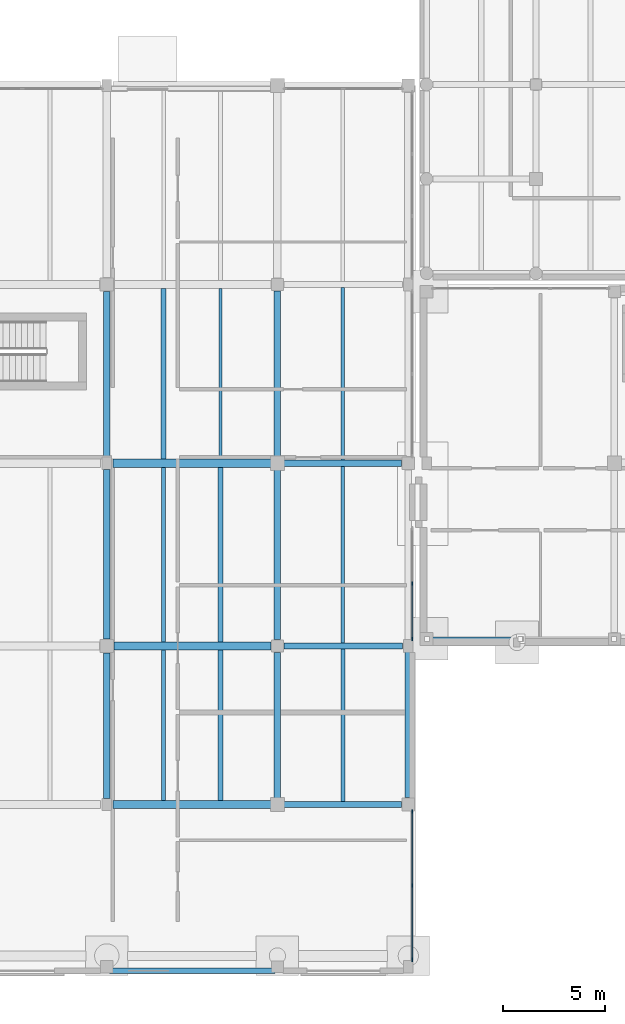
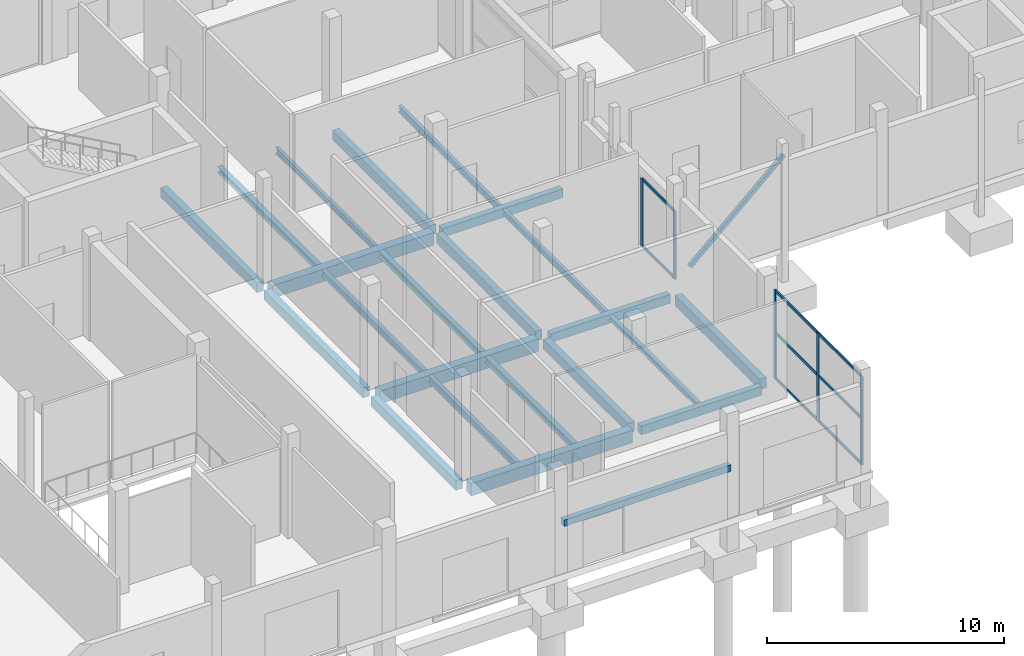
# One storey, part 19 of 88: 23 beams, 14 members, 2 elements without a shape of their own.
"""IFC4 building model written with IfcOpenShell, lengths in metres."""

import ifcopenshell
import ifcopenshell.guid

model = None  # the IFC model being written
_history = None  # IfcOwnerHistory: only IFC2X3 demands one
_inside = {}  # id of a spatial element -> (the spatial element, [elements in it])
_under = {}  # id of a project, library or spatial element -> (it, [spatial elements below it])
_declared = {}  # id of a project -> (the project, [libraries it declares])
_typed = {}  # id of a type object -> (the type object, [elements of that type])
_made_of = {}  # id of a material, layer set ... -> (it, [elements and type objects made of it])


def new_model(schema):
    """Start an empty IFC model of exactly this schema.

    Asked for "IFC4X3", IfcOpenShell would pick the latest addendum, in which some entities
    have other attributes; the version numbers below select the first issue.
    IFC2X3 requires an IfcOwnerHistory on every rooted entity: one is made here for all.
    """
    global model, _history
    if schema == "IFC4X3":
        model = ifcopenshell.file(schema_version=(4, 3, 0, 0))
    else:
        model = ifcopenshell.file(schema=schema)
    _inside.clear()
    _under.clear()
    _declared.clear()
    _typed.clear()
    _made_of.clear()
    _history = None
    if model.schema == "IFC2X3":
        org = make("IfcOrganization", Name="unknown")
        user = make(
            "IfcPersonAndOrganization",
            ThePerson=make("IfcPerson", FamilyName="unknown"),
            TheOrganization=org,
        )
        app = make(
            "IfcApplication",
            ApplicationDeveloper=org,
            Version="unknown",
            ApplicationFullName="unknown",
            ApplicationIdentifier="unknown",
        )
        _history = make(
            "IfcOwnerHistory",
            OwningUser=user,
            OwningApplication=app,
            ChangeAction="ADDED",
            CreationDate=0,
        )
    return model


def make(cls, **values):
    """One entity of the class cls with the attributes given. An attribute that is None is left unset."""
    return model.create_entity(
        cls, **{name: value for name, value in values.items() if value is not None}
    )


def rooted(cls, **values):
    """An entity with a GlobalId (a new one), such as an element, a storey or a relation."""
    return make(cls, GlobalId=ifcopenshell.guid.new(), OwnerHistory=_history, **values)


def si_unit(unit_type, name, prefix=None):
    """IfcSIUnit, for example si_unit("LENGTHUNIT", "METRE", prefix="MILLI")."""
    return make("IfcSIUnit", UnitType=unit_type, Prefix=prefix, Name=name)


def assignment(units):
    """IfcUnitAssignment: the units of a project."""
    return None if units is None else make("IfcUnitAssignment", Units=units)


def point(xyz):
    """IfcCartesianPoint."""
    return None if xyz is None else make("IfcCartesianPoint", Coordinates=xyz)


def direction(xyz):
    """IfcDirection."""
    return None if xyz is None else make("IfcDirection", DirectionRatios=xyz)


def frame(location, z_axis=None, x_axis=None):
    """IfcAxis2Placement3D, a coordinate frame: its origin and axes. An axis left out is left unset."""
    return make(
        "IfcAxis2Placement3D",
        Location=point(location),
        Axis=direction(z_axis),
        RefDirection=direction(x_axis),
    )


def frame_2d(location, x_axis=None):
    """IfcAxis2Placement2D, a coordinate frame in the plane: its origin and x axis."""
    return make(
        "IfcAxis2Placement2D", Location=point(location), RefDirection=direction(x_axis)
    )


def origin():
    """The frame at (0, 0, 0) with its axes left unset."""
    return frame((0.0, 0.0, 0.0))


def origin_2d():
    """The frame at (0, 0) in the plane with its x axis left unset."""
    return frame_2d((0.0, 0.0))


def place(relative_to, where):
    """IfcLocalPlacement: puts the frame where relative to a parent placement (None: the world)."""
    return make(
        "IfcLocalPlacement", PlacementRelTo=relative_to, RelativePlacement=where
    )


def context(
    kind, dimensions, precision=None, world=None, true_north=None, identifier=None
):
    """IfcGeometricRepresentationContext, for example the 3D "Model" context."""
    return make(
        "IfcGeometricRepresentationContext",
        ContextIdentifier=identifier,
        ContextType=kind,
        CoordinateSpaceDimension=dimensions,
        Precision=precision,
        WorldCoordinateSystem=world,
        TrueNorth=true_north,
    )


def subcontext(parent, identifier, kind, view, scale=None):
    """IfcGeometricRepresentationSubContext, for example "Body" below "Model"."""
    return make(
        "IfcGeometricRepresentationSubContext",
        ContextIdentifier=identifier,
        ContextType=kind,
        ParentContext=parent,
        TargetScale=scale,
        TargetView=view,
    )


def project(units=None, contexts=None):
    """IfcProject with its units and contexts."""
    return rooted(
        "IfcProject",
        Name="project",
        RepresentationContexts=contexts,
        UnitsInContext=assignment(units),
    )


def spatial(cls, under=None, at=None, **own):
    """A site, building, storey or space (cls), placed at a placement, below another one or the project."""
    s = rooted(cls, ObjectPlacement=at, **own)
    if under is not None:
        _under.setdefault(under.id(), (under, []))[1].append(s)
    return s


def profile(cls, at=None, kind="AREA", **sizes):
    """A parametric profile (cls). Its sizes go by their IFC names, for example OverallWidth=200.0."""
    return make(cls, ProfileType=kind, Position=at, **sizes)


def rectangle(**sizes):
    """IfcRectangleProfileDef."""
    return profile("IfcRectangleProfileDef", **sizes)


def hollow_rectangle(**sizes):
    """IfcRectangleHollowProfileDef."""
    return profile("IfcRectangleHollowProfileDef", **sizes)


def i_section(**sizes):
    """IfcIShapeProfileDef."""
    return profile("IfcIShapeProfileDef", **sizes)


def extrude(swept, where, along, depth):
    """IfcExtrudedAreaSolid: the profile swept, set in the frame where, extruded along a direction by depth."""
    return make(
        "IfcExtrudedAreaSolid",
        SweptArea=swept,
        Position=where,
        ExtrudedDirection=direction(along),
        Depth=depth,
    )


def shape(context_of_items, identifier, shape_type, items):
    """IfcShapeRepresentation: the items that make up one representation, for example the "Body"."""
    return make(
        "IfcShapeRepresentation",
        ContextOfItems=context_of_items,
        RepresentationIdentifier=identifier,
        RepresentationType=shape_type,
        Items=items,
    )


def material(Name=None, Category=None):
    """IfcMaterial."""
    return make("IfcMaterial", Name=Name, Category=Category)


def layer(
    of_material, thickness, ventilated=None, Name=None, Category=None, Priority=None
):
    """IfcMaterialLayer: one layer of a wall or slab, of a material (None: an air gap)."""
    return make(
        "IfcMaterialLayer",
        Material=of_material,
        LayerThickness=thickness,
        IsVentilated=ventilated,
        Name=Name,
        Category=Category,
        Priority=Priority,
    )


def layer_set(layers, Name=None):
    """IfcMaterialLayerSet."""
    return make("IfcMaterialLayerSet", MaterialLayers=layers, LayerSetName=Name)


def material_profile(
    of_material, cross_section, Name=None, Category=None, Priority=None
):
    """IfcMaterialProfile: a cross section and its material."""
    return make(
        "IfcMaterialProfile",
        Name=Name,
        Material=of_material,
        Profile=cross_section,
        Priority=Priority,
        Category=Category,
    )


def profile_set(profiles, Name=None, composite=None):
    """IfcMaterialProfileSet."""
    return make(
        "IfcMaterialProfileSet",
        Name=Name,
        MaterialProfiles=profiles,
        CompositeProfile=composite,
    )


def made_of(thing, what):
    """Note that an element or type object is made of a material, layer set ...; save() writes the relation."""
    if what is not None:
        _made_of.setdefault(what.id(), (what, []))[1].append(thing)
    return thing


def type_object(cls, material=None, **own):
    """A type object (cls), such as IfcWallType, which elements share."""
    return made_of(rooted(cls, **own), material)


def element(
    cls,
    number,
    at=None,
    inside=None,
    cuts=None,
    type_object=None,
    material=None,
    context=None,
    identifier="Body",
    shape_type=None,
    held_by="IfcProductDefinitionShape",
    body=None,
    shapes=None,
    **own,
):
    """One element of the class cls, such as IfcWall. Its Tag is "e" and its number.

    at: its placement. inside: the storey or other place that contains it. cuts: it is an
    opening in that element (IfcRelVoidsElement). A single representation is given by context,
    identifier, shape_type and body (its items); several are given by shapes. held_by: the class
    of the entity that holds the representations. save() writes the other relations.
    """
    e = rooted(cls, Tag="e%d" % number, ObjectPlacement=at, **own)
    if body is not None:
        shapes = [shape(context, identifier, shape_type, body)]
    if shapes is not None:
        e.Representation = make(held_by, Representations=shapes)
    if inside is not None:
        _inside.setdefault(inside.id(), (inside, []))[1].append(e)
    if cuts is not None:
        rooted(
            "IfcRelVoidsElement", RelatingBuildingElement=cuts, RelatedOpeningElement=e
        )
    if type_object is not None:
        _typed.setdefault(type_object.id(), (type_object, []))[1].append(e)
    return made_of(e, material)


def aggregate(whole, parts):
    """IfcRelAggregates: a whole, such as a stair, and the parts it consists of."""
    return rooted("IfcRelAggregates", RelatingObject=whole, RelatedObjects=parts)


def save(model, path):
    """Write the relations noted so far, then the file.

    IfcRelAggregates (storeys below a building ...), IfcRelContainedInSpatialStructure (elements
    in a storey), IfcRelDefinesByType, IfcRelAssociatesMaterial and IfcRelDeclares: one each for
    every whole, place, type object, material and project.
    """
    for whole, parts in _under.values():
        aggregate(whole, parts)
    for where, things in _inside.values():
        rooted(
            "IfcRelContainedInSpatialStructure",
            RelatedElements=things,
            RelatingStructure=where,
        )
    for kind, things in _typed.values():
        rooted("IfcRelDefinesByType", RelatedObjects=things, RelatingType=kind)
    for what, things in _made_of.values():
        rooted("IfcRelAssociatesMaterial", RelatedObjects=things, RelatingMaterial=what)
    for by, libraries in _declared.values():
        rooted("IfcRelDeclares", RelatingContext=by, RelatedDefinitions=libraries)
    model.write(path)


model = new_model("IFC4")

# Units and contexts
model_context = context("Model", 3, precision=1e-05, world=origin(), true_north=direction((0.0, 1.0)))
body_context = subcontext(model_context, "Body", "Model", "MODEL_VIEW")
ifc_project = project(units=[si_unit("LENGTHUNIT", "METRE"), si_unit("AREAUNIT", "SQUARE_METRE"), si_unit("VOLUMEUNIT", "CUBIC_METRE"), si_unit("PLANEANGLEUNIT", "RADIAN"), si_unit("MASSUNIT", "GRAM", prefix="KILO")], contexts=[model_context])

# Site, building, storey
site_placement = place(None, origin())
site = spatial("IfcSite", under=ifc_project, at=site_placement, CompositionType="ELEMENT")
building_placement = place(site_placement, origin())
building = spatial("IfcBuilding", under=site, at=building_placement, Name="Birchvale Park Specialist Clinic", CompositionType="ELEMENT")
storey_placement = place(building_placement, origin())
storey = spatial("IfcBuildingStorey", under=building, at=storey_placement, Name="L00", CompositionType="ELEMENT", Elevation=0.0)

# Beams
ifc_material_1 = material(Name="Concrete C40/50", Category="concrete")
ifc_material_profile_1 = material_profile(ifc_material_1, rectangle(XDim=0.320068359375, YDim=0.5400390625, at=origin_2d()), Name="RCB-320x540")
ifc_profile_set_1 = profile_set([ifc_material_profile_1], Name="Concrete C40/50")
beam_type_1 = type_object("IfcBeamType", Name="BM-EXT-BG7", PredefinedType="BEAM", material=ifc_profile_set_1)
beam_1_placement = place(storey_placement, frame((51.25, 9.340087890625, -0.6201171875), z_axis=(0.0, 1.0, 0.0), x_axis=(-1.0, 0.0, 0.0)))
element("IfcBeam", 1, at=beam_1_placement, inside=storey, type_object=beam_type_1, Name="V2 L00 Y girder 45", PredefinedType="BEAM", context=body_context, shape_type="SweptSolid", body=[
    extrude(rectangle(XDim=0.320068359375, YDim=0.5400390625, at=origin_2d()), origin(), (0.0, 0.0, 1.0), 7.169921875),
])
ifc_material_profile_2 = material_profile(ifc_material_1, rectangle(XDim=0.39990234375, YDim=0.64990234375, at=origin_2d()), Name="RCB-400x650")
ifc_profile_set_2 = profile_set([ifc_material_profile_2], Name="Concrete C40/50")
beam_type_2 = type_object("IfcBeamType", Name="BM-INT-BG4", PredefinedType="BEAM", material=ifc_profile_set_2)
beam_2_placement = place(storey_placement, frame((36.699951171875, 9.0, -0.675048828125), z_axis=(1.0, 0.0, 0.0), x_axis=(0.0, 1.0, 0.0)))
element("IfcBeam", 2, at=beam_2_placement, inside=storey, type_object=beam_type_2, Name="V2 L00 X girder 4", PredefinedType="BEAM", context=body_context, shape_type="SweptSolid", body=[
    extrude(rectangle(XDim=0.39990234375, YDim=0.64990234375, at=origin_2d()), origin(), (0.0, 0.0, 1.0), 7.875),
])
beam_3_placement = place(storey_placement, frame((36.75, 16.800048828125, -0.675048828125), z_axis=(1.0, 0.0, 0.0), x_axis=(0.0, 1.0, 0.0)))
element("IfcBeam", 3, at=beam_3_placement, inside=storey, type_object=beam_type_2, Name="V2 L00 X girder 9", PredefinedType="BEAM", context=body_context, shape_type="SweptSolid", body=[
    extrude(rectangle(XDim=0.39990234375, YDim=0.64990234375, at=origin_2d()), origin(), (0.0, 0.0, 1.0), 7.72509765625),
])
beam_4_placement = place(storey_placement, frame((36.699951171875, 25.800048828125, -0.675048828125), z_axis=(1.0, 0.0, 0.0), x_axis=(0.0, 1.0, 0.0)))
element("IfcBeam", 4, at=beam_4_placement, inside=storey, type_object=beam_type_2, Name="V2 L00 X girder 14", PredefinedType="BEAM", context=body_context, shape_type="SweptSolid", body=[
    extrude(rectangle(XDim=0.39990234375, YDim=0.64990234375, at=origin_2d()), origin(), (0.0, 0.0, 1.0), 7.875),
])
ifc_material_profile_3 = material_profile(ifc_material_1, rectangle(XDim=0.320068359375, YDim=0.5, at=origin_2d()), Name="RCB-320x500")
ifc_profile_set_3 = profile_set([ifc_material_profile_3], Name="Concrete C40/50")
beam_type_3 = type_object("IfcBeamType", Name="BM-INT-BG7", PredefinedType="BEAM", material=ifc_profile_set_3)
beam_5_placement = place(storey_placement, frame((36.39990234375, 9.300048828125, -0.60009765625), z_axis=(0.0, 1.0, 0.0), x_axis=(-1.0, 0.0, 0.0)))
element("IfcBeam", 5, at=beam_5_placement, inside=storey, type_object=beam_type_3, Name="V2 L00 Y girder 37", PredefinedType="BEAM", context=body_context, shape_type="SweptSolid", body=[
    extrude(rectangle(XDim=0.320068359375, YDim=0.5, at=origin_2d()), origin(), (0.0, 0.0, 1.0), 7.14990234375),
])
beam_6_placement = place(storey_placement, frame((36.39990234375, 17.14990234375, -0.60009765625), z_axis=(0.0, 1.0, 0.0), x_axis=(-1.0, 0.0, 0.0)))
element("IfcBeam", 6, at=beam_6_placement, inside=storey, type_object=beam_type_3, Name="V2 L00 Y girder 38", PredefinedType="BEAM", context=body_context, shape_type="SweptSolid", body=[
    extrude(rectangle(XDim=0.320068359375, YDim=0.5, at=origin_2d()), origin(), (0.0, 0.0, 1.0), 8.35009765625),
])
beam_7_placement = place(storey_placement, frame((36.39990234375, 26.10009765625, -0.60009765625), z_axis=(0.0, 1.0, 0.0), x_axis=(-1.0, 0.0, 0.0)))
element("IfcBeam", 7, at=beam_7_placement, inside=storey, type_object=beam_type_3, Name="V2 L00 Y girder 39", PredefinedType="BEAM", context=body_context, shape_type="SweptSolid", body=[
    extrude(rectangle(XDim=0.320068359375, YDim=0.5, at=origin_2d()), origin(), (0.0, 0.0, 1.0), 8.14990234375),
])
beam_8_placement = place(storey_placement, frame((44.800048828125, 9.300048828125, -0.60009765625), z_axis=(0.0, 1.0, 0.0), x_axis=(-1.0, 0.0, 0.0)))
element("IfcBeam", 8, at=beam_8_placement, inside=storey, type_object=beam_type_3, Name="V2 L00 Y girder 41", PredefinedType="BEAM", context=body_context, shape_type="SweptSolid", body=[
    extrude(rectangle(XDim=0.320068359375, YDim=0.5, at=origin_2d()), origin(), (0.0, 0.0, 1.0), 7.175048828125),
])
beam_9_placement = place(storey_placement, frame((44.800048828125, 17.125, -0.60009765625), z_axis=(0.0, 1.0, 0.0), x_axis=(-1.0, 0.0, 0.0)))
element("IfcBeam", 9, at=beam_9_placement, inside=storey, type_object=beam_type_3, Name="V2 L00 Y girder 42", PredefinedType="BEAM", context=body_context, shape_type="SweptSolid", body=[
    extrude(rectangle(XDim=0.320068359375, YDim=0.5, at=origin_2d()), origin(), (0.0, 0.0, 1.0), 8.375),
])
beam_10_placement = place(storey_placement, frame((44.800048828125, 26.10009765625, -0.60009765625), z_axis=(0.0, 1.0, 0.0), x_axis=(-1.0, 0.0, 0.0)))
element("IfcBeam", 10, at=beam_10_placement, inside=storey, type_object=beam_type_3, Name="V2 L00 Y girder 43", PredefinedType="BEAM", context=body_context, shape_type="SweptSolid", body=[
    extrude(rectangle(XDim=0.320068359375, YDim=0.5, at=origin_2d()), origin(), (0.0, 0.0, 1.0), 8.1748046875),
])
ifc_material_profile_4 = material_profile(ifc_material_1, rectangle(XDim=0.300048828125, YDim=0.449951171875, at=origin_2d()), Name="RCB-300x450")
ifc_profile_set_4 = profile_set([ifc_material_profile_4], Name="Concrete C40/50")
beam_type_4 = type_object("IfcBeamType", Name="BM-INT-BG8", PredefinedType="BEAM", material=ifc_profile_set_4)
beam_11_placement = place(storey_placement, frame((45.02490234375, 9.0, -0.574951171875), z_axis=(1.0, 0.0, 0.0), x_axis=(0.0, 1.0, 0.0)))
element("IfcBeam", 11, at=beam_11_placement, inside=storey, type_object=beam_type_4, Name="V2 L00 X girder 5", PredefinedType="BEAM", context=body_context, shape_type="SweptSolid", body=[
    extrude(rectangle(XDim=0.300048828125, YDim=0.449951171875, at=origin_2d()), origin(), (0.0, 0.0, 1.0), 5.885009765625),
])
beam_12_placement = place(storey_placement, frame((45.125, 16.800048828125, -0.574951171875), z_axis=(1.0, 0.0, 0.0), x_axis=(0.0, 1.0, 0.0)))
element("IfcBeam", 12, at=beam_12_placement, inside=storey, type_object=beam_type_4, Name="V2 L00 X girder 10", PredefinedType="BEAM", context=body_context, shape_type="SweptSolid", body=[
    extrude(rectangle(XDim=0.300048828125, YDim=0.449951171875, at=origin_2d()), origin(), (0.0, 0.0, 1.0), 5.8349609375),
])
beam_13_placement = place(storey_placement, frame((45.02490234375, 25.800048828125, -0.574951171875), z_axis=(1.0, 0.0, 0.0), x_axis=(0.0, 1.0, 0.0)))
element("IfcBeam", 13, at=beam_13_placement, inside=storey, type_object=beam_type_4, Name="V2 L00 X girder 15", PredefinedType="BEAM", context=body_context, shape_type="SweptSolid", body=[
    extrude(rectangle(XDim=0.300048828125, YDim=0.449951171875, at=origin_2d()), origin(), (0.0, 0.0, 1.0), 5.885009765625),
])

# Curtain wall, members
ifc_material_2 = material(Name="Thermally broken anodised aluminium", Category="aluminium")
ifc_layer = layer(ifc_material_2, 0.195068359375)
ifc_layer_set = layer_set([ifc_layer], Name="Thermally broken anodised aluminium")
curtain_wall_type = type_object("IfcCurtainWallType", Name="CW-U2", PredefinedType="USERDEFINED", material=ifc_layer_set)
curtain_wall_1_placement = place(storey_placement, origin())
curtain_wall_1 = element("IfcCurtainWall", 14, at=curtain_wall_1_placement, inside=storey, type_object=curtain_wall_type, Name="V2 L00 glazed curtain wall 10", ObjectType="UNITISED", PredefinedType="USERDEFINED")
ifc_material_profile_5 = material_profile(ifc_material_2, rectangle(XDim=0.06494140625, YDim=0.179931640625, at=origin_2d()), Name="CWM-65x180")
ifc_profile_set_5 = profile_set([ifc_material_profile_5], Name="Thermally broken anodised aluminium")
member_type_1 = type_object("IfcMemberType", Name="CWM2", PredefinedType="MULLION", material=ifc_profile_set_5)
member_1_placement = place(storey_placement, frame((51.445068359375, 1.347412109375, 0.0), z_axis=(0.0, 0.0, 1.0), x_axis=(-1.0, 0.0, 0.0)))
member_1 = element("IfcMember", 15, at=member_1_placement, type_object=member_type_1, Name="CW mullion 1", PredefinedType="MULLION", context=body_context, shape_type="SweptSolid", body=[
    extrude(rectangle(XDim=0.06494140625, YDim=0.179931640625, at=origin_2d()), origin(), (0.0, 0.0, 1.0), 4.570068359375),
])
member_2_placement = place(storey_placement, frame((51.445068359375, 5.0, 0.0), z_axis=(0.0, 0.0, 1.0), x_axis=(-1.0, 0.0, 0.0)))
member_2 = element("IfcMember", 16, at=member_2_placement, type_object=member_type_1, Name="CW mullion 2", PredefinedType="MULLION", context=body_context, shape_type="SweptSolid", body=[
    extrude(rectangle(XDim=0.06494140625, YDim=0.179931640625, at=origin_2d()), origin(), (0.0, 0.0, 1.0), 4.570068359375),
])
member_3_placement = place(storey_placement, frame((51.445068359375, 8.652587890625, 0.0), z_axis=(0.0, 0.0, 1.0), x_axis=(-1.0, 0.0, 0.0)))
member_3 = element("IfcMember", 17, at=member_3_placement, type_object=member_type_1, Name="CW mullion 3", PredefinedType="MULLION", context=body_context, shape_type="SweptSolid", body=[
    extrude(rectangle(XDim=0.06494140625, YDim=0.179931640625, at=origin_2d()), origin(), (0.0, 0.0, 1.0), 4.570068359375),
])

curtain_wall_2_placement = place(storey_placement, origin())
curtain_wall_2 = element("IfcCurtainWall", 18, at=curtain_wall_2_placement, inside=storey, type_object=curtain_wall_type, Name="V2 L00 glazed curtain wall 11", ObjectType="UNITISED", PredefinedType="USERDEFINED")
member_4_placement = place(storey_placement, frame((51.445068359375, 17.1474609375, 0.0), z_axis=(0.0, 0.0, 1.0), x_axis=(-1.0, 0.0, 0.0)))
member_4 = element("IfcMember", 19, at=member_4_placement, type_object=member_type_1, Name="CW mullion 1", PredefinedType="MULLION", context=body_context, shape_type="SweptSolid", body=[
    extrude(rectangle(XDim=0.06494140625, YDim=0.179931640625, at=origin_2d()), origin(), (0.0, 0.0, 1.0), 3.508056640625),
])
member_5_placement = place(storey_placement, frame((51.445068359375, 19.8701171875, 0.0), z_axis=(0.0, 0.0, 1.0), x_axis=(-1.0, 0.0, 0.0)))
member_5 = element("IfcMember", 20, at=member_5_placement, type_object=member_type_1, Name="CW mullion 2", PredefinedType="MULLION", context=body_context, shape_type="SweptSolid", body=[
    extrude(rectangle(XDim=0.06494140625, YDim=0.179931640625, at=origin_2d()), origin(), (0.0, 0.0, 1.0), 3.508056640625),
])

# Member
ifc_material_profile_6 = material_profile(ifc_material_2, rectangle(XDim=0.06494140625, YDim=0.139892578125, at=origin_2d()), Name="CWT-65x140")
ifc_profile_set_6 = profile_set([ifc_material_profile_6], Name="Thermally broken anodised aluminium")
member_type_2 = type_object("IfcMemberType", Name="CWT2", PredefinedType="USERDEFINED", material=ifc_profile_set_6)
member_6_placement = place(storey_placement, frame((51.445068359375, 1.3798828125, 0.032470703125), z_axis=(0.0, 1.0, 0.0), x_axis=(-1.0, 0.0, 0.0)))
member_6 = element("IfcMember", 21, at=member_6_placement, type_object=member_type_2, Name="CW transom 1.1", ObjectType="TRANSOM", PredefinedType="USERDEFINED", context=body_context, shape_type="SweptSolid", body=[
    extrude(rectangle(XDim=0.06494140625, YDim=0.139892578125, at=origin_2d()), origin(), (0.0, 0.0, 1.0), 3.587646484375),
])

member_7_placement = place(storey_placement, frame((51.445068359375, 1.3798828125, 2.37646484375), z_axis=(0.0, 1.0, 0.0), x_axis=(-1.0, 0.0, 0.0)))
member_7 = element("IfcMember", 22, at=member_7_placement, type_object=member_type_2, Name="CW transom 1.2", ObjectType="TRANSOM", PredefinedType="USERDEFINED", context=body_context, shape_type="SweptSolid", body=[
    extrude(rectangle(XDim=0.06494140625, YDim=0.139892578125, at=origin_2d()), origin(), (0.0, 0.0, 1.0), 3.587646484375),
])

member_8_placement = place(storey_placement, frame((51.445068359375, 1.3798828125, 4.53759765625), z_axis=(0.0, 1.0, 0.0), x_axis=(-1.0, 0.0, 0.0)))
member_8 = element("IfcMember", 23, at=member_8_placement, type_object=member_type_2, Name="CW transom 1.3", ObjectType="TRANSOM", PredefinedType="USERDEFINED", context=body_context, shape_type="SweptSolid", body=[
    extrude(rectangle(XDim=0.06494140625, YDim=0.139892578125, at=origin_2d()), origin(), (0.0, 0.0, 1.0), 3.587646484375),
])

member_9_placement = place(storey_placement, frame((51.445068359375, 5.032470703125, 0.032470703125), z_axis=(0.0, 1.0, 0.0), x_axis=(-1.0, 0.0, 0.0)))
member_9 = element("IfcMember", 24, at=member_9_placement, type_object=member_type_2, Name="CW transom 2.1", ObjectType="TRANSOM", PredefinedType="USERDEFINED", context=body_context, shape_type="SweptSolid", body=[
    extrude(rectangle(XDim=0.06494140625, YDim=0.139892578125, at=origin_2d()), origin(), (0.0, 0.0, 1.0), 3.587646484375),
])

member_10_placement = place(storey_placement, frame((51.445068359375, 5.032470703125, 2.37646484375), z_axis=(0.0, 1.0, 0.0), x_axis=(-1.0, 0.0, 0.0)))
member_10 = element("IfcMember", 25, at=member_10_placement, type_object=member_type_2, Name="CW transom 2.2", ObjectType="TRANSOM", PredefinedType="USERDEFINED", context=body_context, shape_type="SweptSolid", body=[
    extrude(rectangle(XDim=0.06494140625, YDim=0.139892578125, at=origin_2d()), origin(), (0.0, 0.0, 1.0), 3.587646484375),
])

member_11_placement = place(storey_placement, frame((51.445068359375, 5.032470703125, 4.53759765625), z_axis=(0.0, 1.0, 0.0), x_axis=(-1.0, 0.0, 0.0)))
member_11 = element("IfcMember", 26, at=member_11_placement, type_object=member_type_2, Name="CW transom 2.3", ObjectType="TRANSOM", PredefinedType="USERDEFINED", context=body_context, shape_type="SweptSolid", body=[
    extrude(rectangle(XDim=0.06494140625, YDim=0.139892578125, at=origin_2d()), origin(), (0.0, 0.0, 1.0), 3.587646484375),
])

aggregate(curtain_wall_1, [member_1, member_2, member_3, member_6, member_7, member_8, member_9, member_10, member_11])

member_12_placement = place(storey_placement, frame((51.445068359375, 17.179931640625, 0.032470703125), z_axis=(0.0, 1.0, 0.0), x_axis=(-1.0, 0.0, 0.0)))
member_12 = element("IfcMember", 27, at=member_12_placement, type_object=member_type_2, Name="CW transom 1.1", ObjectType="TRANSOM", PredefinedType="USERDEFINED", context=body_context, shape_type="SweptSolid", body=[
    extrude(rectangle(XDim=0.06494140625, YDim=0.139892578125, at=origin_2d()), origin(), (0.0, 0.0, 1.0), 2.657470703125),
])

member_13_placement = place(storey_placement, frame((51.445068359375, 17.179931640625, 3.4755859375), z_axis=(0.0, 1.0, 0.0), x_axis=(-1.0, 0.0, 0.0)))
member_13 = element("IfcMember", 28, at=member_13_placement, type_object=member_type_2, Name="CW transom 1.2", ObjectType="TRANSOM", PredefinedType="USERDEFINED", context=body_context, shape_type="SweptSolid", body=[
    extrude(rectangle(XDim=0.06494140625, YDim=0.139892578125, at=origin_2d()), origin(), (0.0, 0.0, 1.0), 2.657470703125),
])

aggregate(curtain_wall_2, [member_4, member_5, member_12, member_13])

# Beam
ifc_material_profile_7 = material_profile(ifc_material_1, rectangle(XDim=0.25, YDim=0.340087890625, at=origin_2d()), Name="LNT-250x340")
ifc_profile_set_7 = profile_set([ifc_material_profile_7], Name="Concrete C40/50")
beam_type_5 = type_object("IfcBeamType", Name="LNT-EXT-LN1", PredefinedType="LINTEL", material=ifc_profile_set_7)
beam_14_placement = place(storey_placement, frame((36.530029296875, 0.804931640625, 2.570068359375), z_axis=(1.0, 0.0, 0.0), x_axis=(0.0, 1.0, 0.0)))
element("IfcBeam", 29, at=beam_14_placement, inside=storey, type_object=beam_type_5, Name="V2 L00 exit opening lintel 5", PredefinedType="LINTEL", context=body_context, shape_type="SweptSolid", body=[
    extrude(rectangle(XDim=0.25, YDim=0.340087890625, at=origin_2d()), origin(), (0.0, 0.0, 1.0), 8.1650390625),
])

# Member
ifc_material_3 = material(Name="Steel ASTM A500 Grade C", Category="steel")
ifc_material_profile_8 = material_profile(ifc_material_3, hollow_rectangle(XDim=0.179931640625, YDim=0.179931640625, WallThickness=0.010009765625, at=origin_2d()), Name="HSS180X180X10")
ifc_profile_set_8 = profile_set([ifc_material_profile_8], Name="Steel ASTM A500 Grade C")
member_type_3 = type_object("IfcMemberType", Name="MEM-BR6", PredefinedType="BRACE", material=ifc_profile_set_8)
member_14_placement = place(storey_placement, frame((52.172119140625, 17.14990234375, 0.3701171875), z_axis=(0.741086443493, 0.0, 0.671409624053), x_axis=(0.0, 1.0, 0.0)))
element("IfcMember", 30, at=member_14_placement, inside=storey, type_object=member_type_3, Name="V4 L00 chevron steel brace 1.1", PredefinedType="BRACE", context=body_context, shape_type="SweptSolid", body=[
    extrude(hollow_rectangle(XDim=0.179931640625, YDim=0.179931640625, WallThickness=0.010009765625, at=origin_2d()), origin(), (0.0, 0.0, 1.0), 6.180908203125),
])

# Beams
ifc_material_4 = material(Name="Steel ASTM A992 Grade 50", Category="steel")
ifc_material_profile_9 = material_profile(ifc_material_4, i_section(OverallWidth=0.2041015625, OverallDepth=0.35107421875, WebThickness=0.008544921875, FlangeThickness=0.01513671875, at=origin_2d()), Name="W14X48")
ifc_profile_set_9 = profile_set([ifc_material_profile_9], Name="Steel ASTM A992 Grade 50")
beam_type_6 = type_object("IfcBeamType", Name="STL-INT-SJ1", PredefinedType="JOIST", material=ifc_profile_set_9)
beam_15_placement = place(storey_placement, frame((39.199951171875, 9.199951171875, -0.525390625), z_axis=(0.0, 1.0, 0.0), x_axis=(-1.0, 0.0, 0.0)))
element("IfcBeam", 31, at=beam_15_placement, inside=storey, type_object=beam_type_6, Name="V2 L00 secondary floor joist 17", PredefinedType="JOIST", context=body_context, shape_type="SweptSolid", body=[
    extrude(i_section(OverallWidth=0.2041015625, OverallDepth=0.35107421875, WebThickness=0.008544921875, FlangeThickness=0.01513671875, at=origin_2d()), origin(), (0.0, 0.0, 1.0), 7.400146484375),
])
beam_16_placement = place(storey_placement, frame((39.199951171875, 17.0, -0.525390625), z_axis=(0.0, 1.0, 0.0), x_axis=(-1.0, 0.0, 0.0)))
element("IfcBeam", 32, at=beam_16_placement, inside=storey, type_object=beam_type_6, Name="V2 L00 secondary floor joist 19", PredefinedType="JOIST", context=body_context, shape_type="SweptSolid", body=[
    extrude(i_section(OverallWidth=0.2041015625, OverallDepth=0.35107421875, WebThickness=0.008544921875, FlangeThickness=0.01513671875, at=origin_2d()), origin(), (0.0, 0.0, 1.0), 8.60009765625),
])
ifc_material_profile_10 = material_profile(ifc_material_4, i_section(OverallWidth=0.25390625, OverallDepth=0.305908203125, WebThickness=0.0087890625, FlangeThickness=0.0146484375, at=origin_2d()), Name="W12X53")
ifc_profile_set_10 = profile_set([ifc_material_profile_10], Name="Steel ASTM A992 Grade 50")
beam_type_7 = type_object("IfcBeamType", Name="STL-INT-SJ2", PredefinedType="JOIST", material=ifc_profile_set_10)
beam_17_placement = place(storey_placement, frame((42.0, 9.199951171875, -0.5029296875), z_axis=(0.0, 1.0, 0.0), x_axis=(-1.0, 0.0, 0.0)))
element("IfcBeam", 33, at=beam_17_placement, inside=storey, type_object=beam_type_7, Name="V2 L00 secondary floor joist 18", PredefinedType="JOIST", context=body_context, shape_type="SweptSolid", body=[
    extrude(i_section(OverallWidth=0.25390625, OverallDepth=0.305908203125, WebThickness=0.0087890625, FlangeThickness=0.0146484375, at=origin_2d()), origin(), (0.0, 0.0, 1.0), 7.400146484375),
])
beam_18_placement = place(storey_placement, frame((42.0, 17.0, -0.5029296875), z_axis=(0.0, 1.0, 0.0), x_axis=(-1.0, 0.0, 0.0)))
element("IfcBeam", 34, at=beam_18_placement, inside=storey, type_object=beam_type_7, Name="V2 L00 secondary floor joist 20", PredefinedType="JOIST", context=body_context, shape_type="SweptSolid", body=[
    extrude(i_section(OverallWidth=0.25390625, OverallDepth=0.305908203125, WebThickness=0.0087890625, FlangeThickness=0.0146484375, at=origin_2d()), origin(), (0.0, 0.0, 1.0), 8.60009765625),
])
beam_19_placement = place(storey_placement, frame((39.199951171875, 26.0, -0.5029296875), z_axis=(0.0, 1.0, 0.0), x_axis=(-1.0, 0.0, 0.0)))
element("IfcBeam", 35, at=beam_19_placement, inside=storey, type_object=beam_type_7, Name="V2 L00 secondary floor joist 21", PredefinedType="JOIST", context=body_context, shape_type="SweptSolid", body=[
    extrude(i_section(OverallWidth=0.25390625, OverallDepth=0.305908203125, WebThickness=0.0087890625, FlangeThickness=0.0146484375, at=origin_2d()), origin(), (0.0, 0.0, 1.0), 8.39990234375),
])
ifc_material_profile_11 = material_profile(ifc_material_4, i_section(OverallWidth=0.1669921875, OverallDepth=0.31689453125, WebThickness=0.007568359375, FlangeThickness=0.01318359375, at=origin_2d()), Name="W12X35")
ifc_profile_set_11 = profile_set([ifc_material_profile_11], Name="Steel ASTM A992 Grade 50")
beam_type_8 = type_object("IfcBeamType", Name="STL-INT-SJ3", PredefinedType="JOIST", material=ifc_profile_set_11)
beam_20_placement = place(storey_placement, frame((42.0, 26.0, -0.508544921875), z_axis=(0.0, 1.0, 0.0), x_axis=(-1.0, 0.0, 0.0)))
element("IfcBeam", 36, at=beam_20_placement, inside=storey, type_object=beam_type_8, Name="V2 L00 secondary floor joist 22", PredefinedType="JOIST", context=body_context, shape_type="SweptSolid", body=[
    extrude(i_section(OverallWidth=0.1669921875, OverallDepth=0.31689453125, WebThickness=0.007568359375, FlangeThickness=0.01318359375, at=origin_2d()), origin(), (0.0, 0.0, 1.0), 8.39990234375),
])
beam_21_placement = place(storey_placement, frame((48.02490234375, 16.949951171875, -0.508544921875), z_axis=(0.0, 1.0, 0.0), x_axis=(-1.0, 0.0, 0.0)))
element("IfcBeam", 37, at=beam_21_placement, inside=storey, type_object=beam_type_8, Name="V2 L00 secondary floor joist 26", PredefinedType="JOIST", context=body_context, shape_type="SweptSolid", body=[
    extrude(i_section(OverallWidth=0.1669921875, OverallDepth=0.31689453125, WebThickness=0.007568359375, FlangeThickness=0.01318359375, at=origin_2d()), origin(), (0.0, 0.0, 1.0), 8.699951171875),
])
beam_22_placement = place(storey_placement, frame((48.02490234375, 25.949951171875, -0.508544921875), z_axis=(0.0, 1.0, 0.0), x_axis=(-1.0, 0.0, 0.0)))
element("IfcBeam", 38, at=beam_22_placement, inside=storey, type_object=beam_type_8, Name="V2 L00 secondary floor joist 27", PredefinedType="JOIST", context=body_context, shape_type="SweptSolid", body=[
    extrude(i_section(OverallWidth=0.1669921875, OverallDepth=0.31689453125, WebThickness=0.007568359375, FlangeThickness=0.01318359375, at=origin_2d()), origin(), (0.0, 0.0, 1.0), 8.5),
])
ifc_material_profile_12 = material_profile(ifc_material_4, i_section(OverallWidth=0.202880859375, OverallDepth=0.251953125, WebThickness=0.008056640625, FlangeThickness=0.013427734375, at=origin_2d()), Name="W10X39")
ifc_profile_set_12 = profile_set([ifc_material_profile_12], Name="Steel ASTM A992 Grade 50")
beam_type_9 = type_object("IfcBeamType", Name="STL-INT-SJ4", PredefinedType="JOIST", material=ifc_profile_set_12)
beam_23_placement = place(storey_placement, frame((48.02490234375, 9.14990234375, -0.47607421875), z_axis=(0.0, 1.0, 0.0), x_axis=(-1.0, 0.0, 0.0)))
element("IfcBeam", 39, at=beam_23_placement, inside=storey, type_object=beam_type_9, Name="V2 L00 secondary floor joist 25", PredefinedType="JOIST", context=body_context, shape_type="SweptSolid", body=[
    extrude(i_section(OverallWidth=0.202880859375, OverallDepth=0.251953125, WebThickness=0.008056640625, FlangeThickness=0.013427734375, at=origin_2d()), origin(), (0.0, 0.0, 1.0), 7.5),
])

save(model, "model.ifc")
